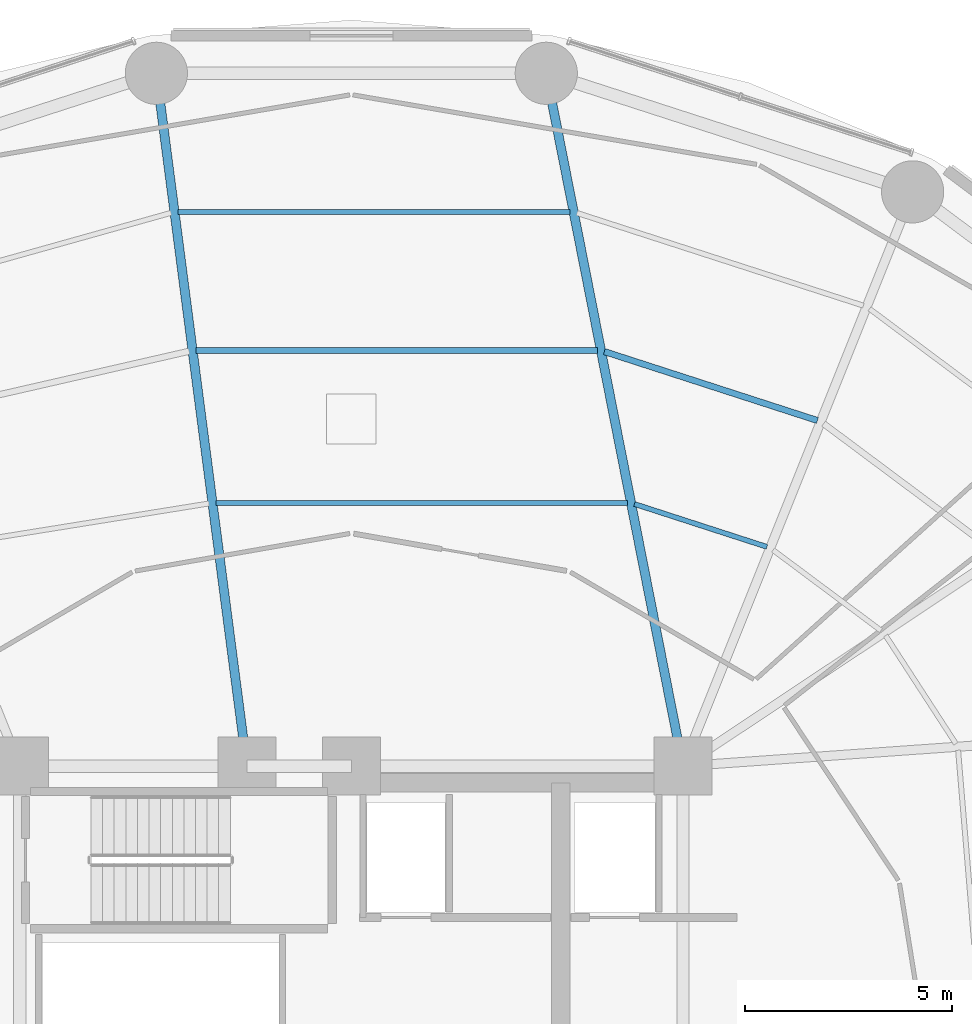
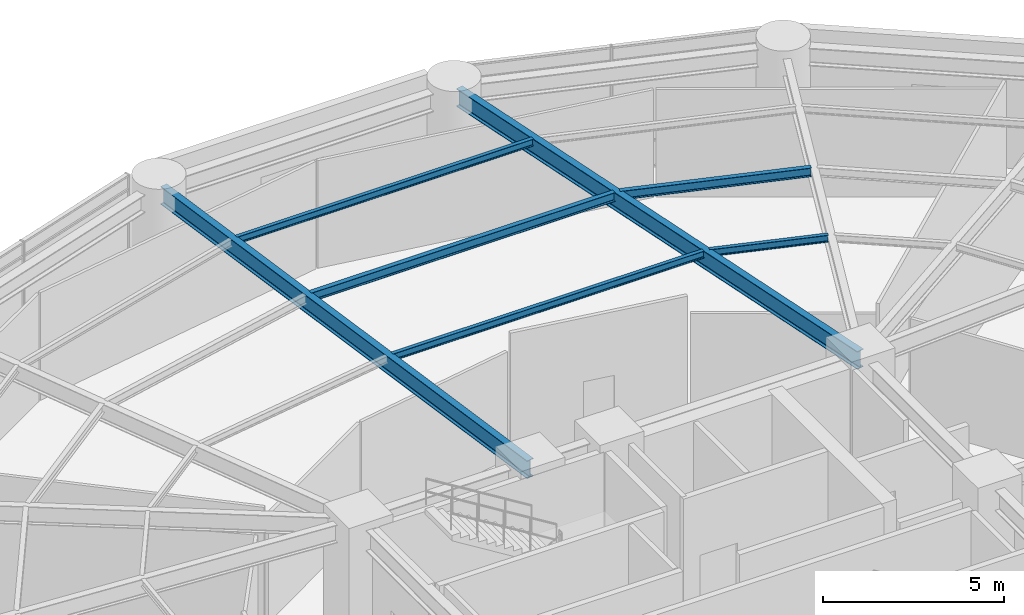
# One storey, part 27 of 46: 7 beams.
"""IFC4 building model written with IfcOpenShell, lengths in metres."""

from ifc_helpers import new_model, si_unit, direction, frame, origin, origin_2d, place, context, subcontext, project, spatial, i_section, extrude, material, material_profile, profile_set, type_object, element, save


model = new_model("IFC4")

# Units and contexts
model_context = context("Model", 3, precision=1e-05, world=origin(), true_north=direction((0.0, 1.0)))
body_context = subcontext(model_context, "Body", "Model", "MODEL_VIEW")
ifc_project = project(units=[si_unit("LENGTHUNIT", "METRE"), si_unit("AREAUNIT", "SQUARE_METRE"), si_unit("VOLUMEUNIT", "CUBIC_METRE"), si_unit("PLANEANGLEUNIT", "RADIAN"), si_unit("MASSUNIT", "GRAM", prefix="KILO")], contexts=[model_context])

# Site, building, storey
site_placement = place(None, origin())
site = spatial("IfcSite", under=ifc_project, at=site_placement, CompositionType="ELEMENT")
building_placement = place(site_placement, origin())
building = spatial("IfcBuilding", under=site, at=building_placement, Name="Kelanora Arch Commons", CompositionType="ELEMENT")
storey_placement = place(building_placement, frame((0.0, 0.0, 18.0)))
storey = spatial("IfcBuildingStorey", under=building, at=storey_placement, Name="L04", CompositionType="ELEMENT", Elevation=18.0)

# Beams
ifc_material = material(Name="Steel S355", Category="steel")
ifc_material_profile_1 = material_profile(ifc_material, i_section(OverallWidth=0.14990234375, OverallDepth=0.300048828125, WebThickness=0.007080078125, FlangeThickness=0.0107421875, FilletRadius=0.014892578125, at=origin_2d()), Name="IPE300")
ifc_profile_set_1 = profile_set([ifc_material_profile_1], Name="Steel S355")
beam_type_1 = type_object("IfcBeamType", Name="BM-JST-01", PredefinedType="JOIST", material=ifc_profile_set_1)
beam_1_placement = place(storey_placement, frame((85.2431640625, 73.33837890625, 4.090087890625), z_axis=(-0.951412209627, 0.307920131482, 0.0), x_axis=(-0.307920131482, -0.951412209627, 0.0)))
element("IfcBeam", 1, at=beam_1_placement, inside=storey, type_object=beam_type_1, Name="Secondary Chord Joist BJB-06 L04", PredefinedType="JOIST", context=body_context, shape_type="SweptSolid", body=[
    extrude(i_section(OverallWidth=0.14990234375, OverallDepth=0.300048828125, WebThickness=0.007080078125, FlangeThickness=0.0107421875, FilletRadius=0.014892578125, at=origin_2d()), origin(), (0.0, 0.0, 1.0), 5.4033203125),
])
beam_2_placement = place(storey_placement, frame((79.936279296875, 75.028564453125, 4.090087890625), z_axis=(-1.0, 0.0, 0.0), x_axis=(0.0, -1.0, 0.0)))
element("IfcBeam", 2, at=beam_2_placement, inside=storey, type_object=beam_type_1, Name="Secondary Chord Joist BJB-08 L04", PredefinedType="JOIST", context=body_context, shape_type="SweptSolid", body=[
    extrude(i_section(OverallWidth=0.14990234375, OverallDepth=0.300048828125, WebThickness=0.007080078125, FlangeThickness=0.0107421875, FilletRadius=0.014892578125, at=origin_2d()), origin(), (0.0, 0.0, 1.0), 9.6806640625),
])
ifc_material_profile_2 = material_profile(ifc_material, i_section(OverallWidth=0.1201171875, OverallDepth=0.239990234375, WebThickness=0.006103515625, FlangeThickness=0.009765625, FilletRadius=0.014892578125, at=origin_2d()), Name="IPE240")
ifc_profile_set_2 = profile_set([ifc_material_profile_2], Name="Steel S355")
beam_type_2 = type_object("IfcBeamType", Name="BM-JST-02", PredefinedType="JOIST", material=ifc_profile_set_2)
beam_3_placement = place(storey_placement, frame((84.0244140625, 70.290771484375, 4.1201171875), z_axis=(-0.951422608074, 0.30788800049, 0.0), x_axis=(-0.30788800049, -0.951422608074, 0.0)))
element("IfcBeam", 3, at=beam_3_placement, inside=storey, type_object=beam_type_2, Name="Secondary Chord Joist BJA-06 L04", PredefinedType="JOIST", context=body_context, shape_type="SweptSolid", body=[
    extrude(i_section(OverallWidth=0.1201171875, OverallDepth=0.239990234375, WebThickness=0.006103515625, FlangeThickness=0.009765625, FilletRadius=0.014892578125, at=origin_2d()), origin(), (0.0, 0.0, 1.0), 3.359619140625),
])
beam_4_placement = place(storey_placement, frame((80.661865234375, 71.351318359375, 4.1201171875), z_axis=(-1.0, 0.0, 0.0), x_axis=(0.0, -1.0, 0.0)))
element("IfcBeam", 4, at=beam_4_placement, inside=storey, type_object=beam_type_2, Name="Secondary Chord Joist BJA-08 L04", PredefinedType="JOIST", context=body_context, shape_type="SweptSolid", body=[
    extrude(i_section(OverallWidth=0.1201171875, OverallDepth=0.239990234375, WebThickness=0.006103515625, FlangeThickness=0.009765625, FilletRadius=0.014892578125, at=origin_2d()), origin(), (0.0, 0.0, 1.0), 9.92626953125),
])
beam_5_placement = place(storey_placement, frame((79.27685546875, 78.371337890625, 4.1201171875), z_axis=(-1.0, 0.0, 0.0), x_axis=(0.0, -1.0, 0.0)))
element("IfcBeam", 5, at=beam_5_placement, inside=storey, type_object=beam_type_2, Name="Secondary Chord Joist BJC-08 L04", PredefinedType="JOIST", context=body_context, shape_type="SweptSolid", body=[
    extrude(i_section(OverallWidth=0.1201171875, OverallDepth=0.239990234375, WebThickness=0.006103515625, FlangeThickness=0.009765625, FilletRadius=0.014892578125, at=origin_2d()), origin(), (0.0, 0.0, 1.0), 9.457763671875),
])
ifc_material_profile_3 = material_profile(ifc_material, i_section(OverallWidth=0.219970703125, OverallDepth=0.60009765625, WebThickness=0.011962890625, FlangeThickness=0.01904296875, FilletRadius=0.02392578125, at=origin_2d()), Name="IPE600")
ifc_profile_set_3 = profile_set([ifc_material_profile_3], Name="Steel S355")
beam_type_3 = type_object("IfcBeamType", Name="BM-RAD-Z1", PredefinedType="BEAM", material=ifc_profile_set_3)
beam_6_placement = place(storey_placement, frame((82.0, 65.0, 3.93994140625), z_axis=(-0.193555256292, 0.981089375522, 0.0), x_axis=(-0.981089375522, -0.193555256292, 0.0)))
element("IfcBeam", 6, at=beam_6_placement, inside=storey, type_object=beam_type_3, Name="Radial Floor Girder BR-08 L04", PredefinedType="BEAM", context=body_context, shape_type="SweptSolid", body=[
    extrude(i_section(OverallWidth=0.219970703125, OverallDepth=0.60009765625, WebThickness=0.011962890625, FlangeThickness=0.01904296875, FilletRadius=0.02392578125, at=origin_2d()), origin(), (0.0, 0.0, 1.0), 16.81640625),
])
beam_7_placement = place(storey_placement, frame((71.47998046875, 65.0, 3.93994140625), z_axis=(-0.129465914729, 0.991583872864, 0.0), x_axis=(-0.991583872864, -0.129465914729, 0.0)))
element("IfcBeam", 7, at=beam_7_placement, inside=storey, type_object=beam_type_3, Name="Radial Floor Girder BR-10 L04", PredefinedType="BEAM", context=body_context, shape_type="SweptSolid", body=[
    extrude(i_section(OverallWidth=0.219970703125, OverallDepth=0.60009765625, WebThickness=0.011962890625, FlangeThickness=0.01904296875, FilletRadius=0.02392578125, at=origin_2d()), origin(), (0.0, 0.0, 1.0), 16.635986328125),
])

save(model, "model.ifc")
